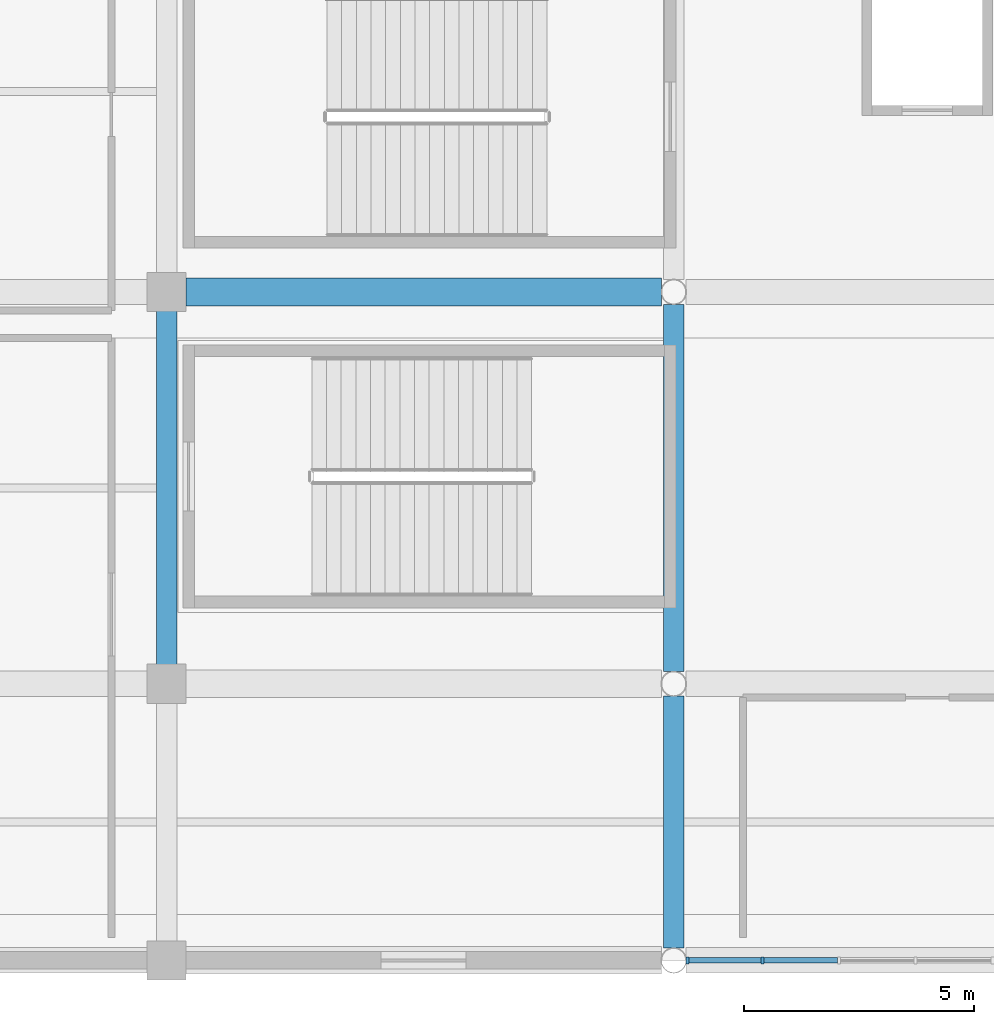
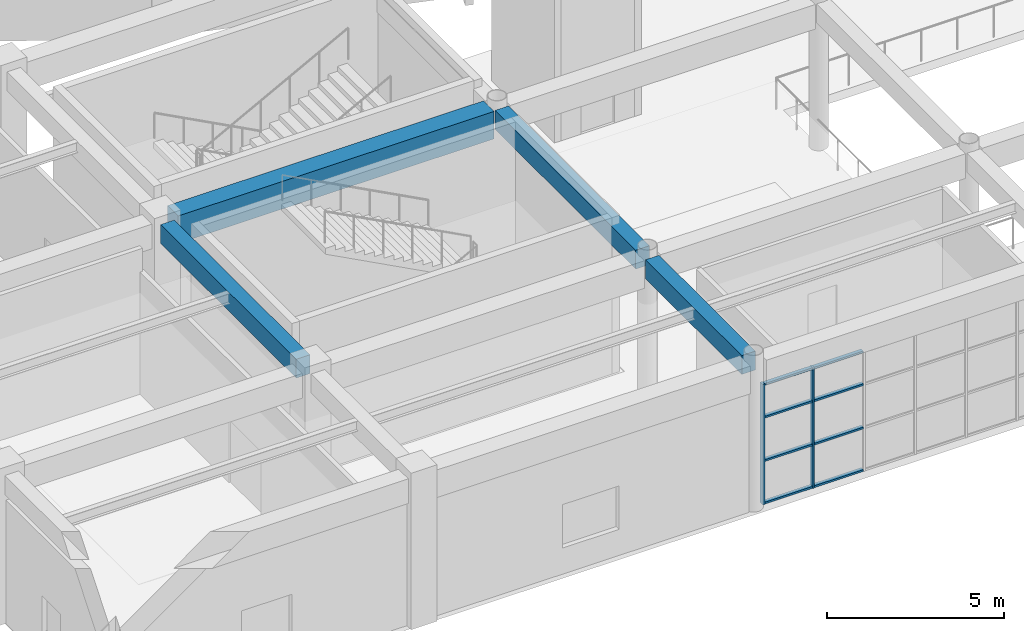
# One storey, part 15 of 120: 10 members, 4 beams, 1 element without a shape of its own.
"""IFC4 building model written with IfcOpenShell, lengths in metres."""

import ifcopenshell
import ifcopenshell.guid

model = None  # the IFC model being written
_history = None  # IfcOwnerHistory: only IFC2X3 demands one
_inside = {}  # id of a spatial element -> (the spatial element, [elements in it])
_under = {}  # id of a project, library or spatial element -> (it, [spatial elements below it])
_declared = {}  # id of a project -> (the project, [libraries it declares])
_typed = {}  # id of a type object -> (the type object, [elements of that type])
_made_of = {}  # id of a material, layer set ... -> (it, [elements and type objects made of it])


def new_model(schema):
    """Start an empty IFC model of exactly this schema.

    Asked for "IFC4X3", IfcOpenShell would pick the latest addendum, in which some entities
    have other attributes; the version numbers below select the first issue.
    IFC2X3 requires an IfcOwnerHistory on every rooted entity: one is made here for all.
    """
    global model, _history
    if schema == "IFC4X3":
        model = ifcopenshell.file(schema_version=(4, 3, 0, 0))
    else:
        model = ifcopenshell.file(schema=schema)
    _inside.clear()
    _under.clear()
    _declared.clear()
    _typed.clear()
    _made_of.clear()
    _history = None
    if model.schema == "IFC2X3":
        org = make("IfcOrganization", Name="unknown")
        user = make(
            "IfcPersonAndOrganization",
            ThePerson=make("IfcPerson", FamilyName="unknown"),
            TheOrganization=org,
        )
        app = make(
            "IfcApplication",
            ApplicationDeveloper=org,
            Version="unknown",
            ApplicationFullName="unknown",
            ApplicationIdentifier="unknown",
        )
        _history = make(
            "IfcOwnerHistory",
            OwningUser=user,
            OwningApplication=app,
            ChangeAction="ADDED",
            CreationDate=0,
        )
    return model


def make(cls, **values):
    """One entity of the class cls with the attributes given. An attribute that is None is left unset."""
    return model.create_entity(
        cls, **{name: value for name, value in values.items() if value is not None}
    )


def rooted(cls, **values):
    """An entity with a GlobalId (a new one), such as an element, a storey or a relation."""
    return make(cls, GlobalId=ifcopenshell.guid.new(), OwnerHistory=_history, **values)


def si_unit(unit_type, name, prefix=None):
    """IfcSIUnit, for example si_unit("LENGTHUNIT", "METRE", prefix="MILLI")."""
    return make("IfcSIUnit", UnitType=unit_type, Prefix=prefix, Name=name)


def assignment(units):
    """IfcUnitAssignment: the units of a project."""
    return None if units is None else make("IfcUnitAssignment", Units=units)


def point(xyz):
    """IfcCartesianPoint."""
    return None if xyz is None else make("IfcCartesianPoint", Coordinates=xyz)


def direction(xyz):
    """IfcDirection."""
    return None if xyz is None else make("IfcDirection", DirectionRatios=xyz)


def frame(location, z_axis=None, x_axis=None):
    """IfcAxis2Placement3D, a coordinate frame: its origin and axes. An axis left out is left unset."""
    return make(
        "IfcAxis2Placement3D",
        Location=point(location),
        Axis=direction(z_axis),
        RefDirection=direction(x_axis),
    )


def frame_2d(location, x_axis=None):
    """IfcAxis2Placement2D, a coordinate frame in the plane: its origin and x axis."""
    return make(
        "IfcAxis2Placement2D", Location=point(location), RefDirection=direction(x_axis)
    )


def origin():
    """The frame at (0, 0, 0) with its axes left unset."""
    return frame((0.0, 0.0, 0.0))


def origin_2d():
    """The frame at (0, 0) in the plane with its x axis left unset."""
    return frame_2d((0.0, 0.0))


def place(relative_to, where):
    """IfcLocalPlacement: puts the frame where relative to a parent placement (None: the world)."""
    return make(
        "IfcLocalPlacement", PlacementRelTo=relative_to, RelativePlacement=where
    )


def context(
    kind, dimensions, precision=None, world=None, true_north=None, identifier=None
):
    """IfcGeometricRepresentationContext, for example the 3D "Model" context."""
    return make(
        "IfcGeometricRepresentationContext",
        ContextIdentifier=identifier,
        ContextType=kind,
        CoordinateSpaceDimension=dimensions,
        Precision=precision,
        WorldCoordinateSystem=world,
        TrueNorth=true_north,
    )


def subcontext(parent, identifier, kind, view, scale=None):
    """IfcGeometricRepresentationSubContext, for example "Body" below "Model"."""
    return make(
        "IfcGeometricRepresentationSubContext",
        ContextIdentifier=identifier,
        ContextType=kind,
        ParentContext=parent,
        TargetScale=scale,
        TargetView=view,
    )


def project(units=None, contexts=None):
    """IfcProject with its units and contexts."""
    return rooted(
        "IfcProject",
        Name="project",
        RepresentationContexts=contexts,
        UnitsInContext=assignment(units),
    )


def spatial(cls, under=None, at=None, **own):
    """A site, building, storey or space (cls), placed at a placement, below another one or the project."""
    s = rooted(cls, ObjectPlacement=at, **own)
    if under is not None:
        _under.setdefault(under.id(), (under, []))[1].append(s)
    return s


def profile(cls, at=None, kind="AREA", **sizes):
    """A parametric profile (cls). Its sizes go by their IFC names, for example OverallWidth=200.0."""
    return make(cls, ProfileType=kind, Position=at, **sizes)


def rectangle(**sizes):
    """IfcRectangleProfileDef."""
    return profile("IfcRectangleProfileDef", **sizes)


def extrude(swept, where, along, depth):
    """IfcExtrudedAreaSolid: the profile swept, set in the frame where, extruded along a direction by depth."""
    return make(
        "IfcExtrudedAreaSolid",
        SweptArea=swept,
        Position=where,
        ExtrudedDirection=direction(along),
        Depth=depth,
    )


def shape(context_of_items, identifier, shape_type, items):
    """IfcShapeRepresentation: the items that make up one representation, for example the "Body"."""
    return make(
        "IfcShapeRepresentation",
        ContextOfItems=context_of_items,
        RepresentationIdentifier=identifier,
        RepresentationType=shape_type,
        Items=items,
    )


def material(Name=None, Category=None):
    """IfcMaterial."""
    return make("IfcMaterial", Name=Name, Category=Category)


def material_profile(
    of_material, cross_section, Name=None, Category=None, Priority=None
):
    """IfcMaterialProfile: a cross section and its material."""
    return make(
        "IfcMaterialProfile",
        Name=Name,
        Material=of_material,
        Profile=cross_section,
        Priority=Priority,
        Category=Category,
    )


def profile_set(profiles, Name=None, composite=None):
    """IfcMaterialProfileSet."""
    return make(
        "IfcMaterialProfileSet",
        Name=Name,
        MaterialProfiles=profiles,
        CompositeProfile=composite,
    )


def made_of(thing, what):
    """Note that an element or type object is made of a material, layer set ...; save() writes the relation."""
    if what is not None:
        _made_of.setdefault(what.id(), (what, []))[1].append(thing)
    return thing


def type_object(cls, material=None, **own):
    """A type object (cls), such as IfcWallType, which elements share."""
    return made_of(rooted(cls, **own), material)


def element(
    cls,
    number,
    at=None,
    inside=None,
    cuts=None,
    type_object=None,
    material=None,
    context=None,
    identifier="Body",
    shape_type=None,
    held_by="IfcProductDefinitionShape",
    body=None,
    shapes=None,
    **own,
):
    """One element of the class cls, such as IfcWall. Its Tag is "e" and its number.

    at: its placement. inside: the storey or other place that contains it. cuts: it is an
    opening in that element (IfcRelVoidsElement). A single representation is given by context,
    identifier, shape_type and body (its items); several are given by shapes. held_by: the class
    of the entity that holds the representations. save() writes the other relations.
    """
    e = rooted(cls, Tag="e%d" % number, ObjectPlacement=at, **own)
    if body is not None:
        shapes = [shape(context, identifier, shape_type, body)]
    if shapes is not None:
        e.Representation = make(held_by, Representations=shapes)
    if inside is not None:
        _inside.setdefault(inside.id(), (inside, []))[1].append(e)
    if cuts is not None:
        rooted(
            "IfcRelVoidsElement", RelatingBuildingElement=cuts, RelatedOpeningElement=e
        )
    if type_object is not None:
        _typed.setdefault(type_object.id(), (type_object, []))[1].append(e)
    return made_of(e, material)


def aggregate(whole, parts):
    """IfcRelAggregates: a whole, such as a stair, and the parts it consists of."""
    return rooted("IfcRelAggregates", RelatingObject=whole, RelatedObjects=parts)


def save(model, path):
    """Write the relations noted so far, then the file.

    IfcRelAggregates (storeys below a building ...), IfcRelContainedInSpatialStructure (elements
    in a storey), IfcRelDefinesByType, IfcRelAssociatesMaterial and IfcRelDeclares: one each for
    every whole, place, type object, material and project.
    """
    for whole, parts in _under.values():
        aggregate(whole, parts)
    for where, things in _inside.values():
        rooted(
            "IfcRelContainedInSpatialStructure",
            RelatedElements=things,
            RelatingStructure=where,
        )
    for kind, things in _typed.values():
        rooted("IfcRelDefinesByType", RelatedObjects=things, RelatingType=kind)
    for what, things in _made_of.values():
        rooted("IfcRelAssociatesMaterial", RelatedObjects=things, RelatingMaterial=what)
    for by, libraries in _declared.values():
        rooted("IfcRelDeclares", RelatingContext=by, RelatedDefinitions=libraries)
    model.write(path)


model = new_model("IFC4")

# Units and contexts
model_context = context("Model", 3, precision=1e-05, world=origin(), true_north=direction((0.0, 1.0)))
body_context = subcontext(model_context, "Body", "Model", "MODEL_VIEW")
ifc_project = project(units=[si_unit("LENGTHUNIT", "METRE"), si_unit("AREAUNIT", "SQUARE_METRE"), si_unit("VOLUMEUNIT", "CUBIC_METRE"), si_unit("PLANEANGLEUNIT", "RADIAN"), si_unit("MASSUNIT", "GRAM", prefix="KILO")], contexts=[model_context])

# Site, building, storey
site_placement = place(None, origin())
site = spatial("IfcSite", under=ifc_project, at=site_placement, CompositionType="ELEMENT")
building_placement = place(site_placement, origin())
building = spatial("IfcBuilding", under=site, at=building_placement, Name="Cuetzalor Civic Arena", CompositionType="ELEMENT")
storey_placement = place(building_placement, frame((0.0, 0.0, 6.0)))
storey = spatial("IfcBuildingStorey", under=building, at=storey_placement, Name="L01", CompositionType="ELEMENT", Elevation=6.0)

# Beams
ifc_material_1 = material(Name="Concrete C40/50", Category="concrete")
ifc_material_profile_1 = material_profile(ifc_material_1, rectangle(XDim=0.60009765625, YDim=0.949951171875, at=origin_2d()), Name="RC 600x950")
ifc_profile_set_1 = profile_set([ifc_material_profile_1], Name="Concrete C40/50")
beam_type_1 = type_object("IfcBeamType", Name="ConcreteFrameBeam_600x950", PredefinedType="BEAM", material=ifc_profile_set_1)
beam_1_placement = place(storey_placement, frame((-31.5849609375, -57.0, 4.64501953125), z_axis=(1.0, 0.0, 0.0), x_axis=(0.0, 1.0, 0.0)))
element("IfcBeam", 1, at=beam_1_placement, inside=storey, type_object=beam_type_1, Name="Frame Girder V3-L01-X0306", PredefinedType="BEAM", context=body_context, shape_type="SweptSolid", body=[
    extrude(rectangle(XDim=0.60009765625, YDim=0.949951171875, at=origin_2d()), origin(), (0.0, 0.0, 1.0), 10.3154296875),
])
ifc_material_2 = material(Name="Concrete C40/50", Category="concrete")
ifc_material_profile_2 = material_profile(ifc_material_2, rectangle(XDim=0.449951171875, YDim=0.64990234375, at=origin_2d()), Name="RC 450x650")
ifc_profile_set_2 = profile_set([ifc_material_profile_2], Name="Concrete C40/50")
beam_type_2 = type_object("IfcBeamType", Name="ConcreteTieBeam_450x650", PredefinedType="BEAM", material=ifc_profile_set_2)
beam_2_placement = place(storey_placement, frame((-32.0, -65.0849609375, 4.794921875), z_axis=(0.0, 1.0, 0.0), x_axis=(-1.0, 0.0, 0.0)))
element("IfcBeam", 2, at=beam_2_placement, inside=storey, type_object=beam_type_2, Name="Frame Girder V3-L01-Y0323", PredefinedType="BEAM", context=body_context, shape_type="SweptSolid", body=[
    extrude(rectangle(XDim=0.449951171875, YDim=0.64990234375, at=origin_2d()), origin(), (0.0, 0.0, 1.0), 7.669921875),
])
beam_3_placement = place(storey_placement, frame((-21.0, -71.23046875, 4.794921875), z_axis=(0.0, 1.0, 0.0), x_axis=(-1.0, 0.0, 0.0)))
element("IfcBeam", 3, at=beam_3_placement, inside=storey, type_object=beam_type_2, Name="Frame Girder V3-L01-Y0325", PredefinedType="BEAM", context=body_context, shape_type="SweptSolid", body=[
    extrude(rectangle(XDim=0.449951171875, YDim=0.64990234375, at=origin_2d()), origin(), (0.0, 0.0, 1.0), 5.4609375),
])
beam_4_placement = place(storey_placement, frame((-21.0, -65.23046875, 4.794921875), z_axis=(0.0, 1.0, 0.0), x_axis=(-1.0, 0.0, 0.0)))
element("IfcBeam", 4, at=beam_4_placement, inside=storey, type_object=beam_type_2, Name="Frame Girder V3-L01-Y0326", PredefinedType="BEAM", context=body_context, shape_type="SweptSolid", body=[
    extrude(rectangle(XDim=0.449951171875, YDim=0.64990234375, at=origin_2d()), origin(), (0.0, 0.0, 1.0), 7.9609375),
])

# Curtain wall, members
ifc_material_3 = material(Name="Anodised dark bronze aluminium and low-E solar glass", Category="aluminium")
curtain_wall_type = type_object("IfcCurtainWallType", Name="StickCW_10000x4150", PredefinedType="USERDEFINED", material=ifc_material_3)
curtain_wall_placement = place(storey_placement, origin())
curtain_wall = element("IfcCurtainWall", 5, at=curtain_wall_placement, inside=storey, type_object=curtain_wall_type, Name="South Civic Square Curtain Wall L01-083", ObjectType="STICK CURTAIN WALL", PredefinedType="USERDEFINED")
ifc_material_4 = material(Name="Anodised dark bronze aluminium", Category="aluminium")
ifc_material_profile_3 = material_profile(ifc_material_4, rectangle(XDim=0.06494140625, YDim=0.14990234375, at=origin_2d()), Name="ALU MULLION 65x150")
ifc_profile_set_3 = profile_set([ifc_material_profile_3], Name="Anodised dark bronze aluminium")
member_type_1 = type_object("IfcMemberType", Name="CurtainWallMullion_60x150", PredefinedType="MULLION", material=ifc_profile_set_3)
member_1_placement = place(storey_placement, frame((-19.07568359375, -71.5, 0.0), z_axis=(0.0, 0.0, 1.0), x_axis=(-1.0, 0.0, 0.0)))
member_1 = element("IfcMember", 6, at=member_1_placement, type_object=member_type_1, Name="CW-25 mullion 6", PredefinedType="MULLION", context=body_context, shape_type="SweptSolid", body=[
    extrude(rectangle(XDim=0.06494140625, YDim=0.14990234375, at=origin_2d()), origin(), (0.0, 0.0, 1.0), 4.159912109375),
])
member_2_placement = place(storey_placement, frame((-20.7060546875, -71.5, 0.0), z_axis=(0.0, 0.0, 1.0), x_axis=(-1.0, 0.0, 0.0)))
member_2 = element("IfcMember", 7, at=member_2_placement, type_object=member_type_1, Name="CW-25 mullion 7", PredefinedType="MULLION", context=body_context, shape_type="SweptSolid", body=[
    extrude(rectangle(XDim=0.06494140625, YDim=0.14990234375, at=origin_2d()), origin(), (0.0, 0.0, 1.0), 4.159912109375),
])
ifc_material_5 = material(Name="Anodised dark bronze aluminium", Category="aluminium")
ifc_material_profile_4 = material_profile(ifc_material_5, rectangle(XDim=0.1201171875, YDim=0.06494140625, at=origin_2d()), Name="ALU TRANSOM 65x120")
ifc_profile_set_4 = profile_set([ifc_material_profile_4], Name="Anodised dark bronze aluminium")
member_type_2 = type_object("IfcMemberType", Name="CurtainWallTransom_60x120", PredefinedType="USERDEFINED", material=ifc_profile_set_4)
member_3_placement = place(storey_placement, frame((-17.4453125, -71.5, 0.032470703125), z_axis=(-1.0, 0.0, 0.0), x_axis=(0.0, -1.0, 0.0)))
member_3 = element("IfcMember", 8, at=member_3_placement, type_object=member_type_2, Name="CW-25 transom 5.1", ObjectType="TRANSOM", PredefinedType="USERDEFINED", context=body_context, shape_type="SweptSolid", body=[
    extrude(rectangle(XDim=0.1201171875, YDim=0.06494140625, at=origin_2d()), origin(), (0.0, 0.0, 1.0), 1.597900390625),
])
member_4_placement = place(storey_placement, frame((-17.4453125, -71.5, 1.498046875), z_axis=(-1.0, 0.0, 0.0), x_axis=(0.0, -1.0, 0.0)))
member_4 = element("IfcMember", 9, at=member_4_placement, type_object=member_type_2, Name="CW-25 transom 5.2", ObjectType="TRANSOM", PredefinedType="USERDEFINED", context=body_context, shape_type="SweptSolid", body=[
    extrude(rectangle(XDim=0.1201171875, YDim=0.06494140625, at=origin_2d()), origin(), (0.0, 0.0, 1.0), 1.597900390625),
])
member_5_placement = place(storey_placement, frame((-17.4453125, -71.5, 2.9951171875), z_axis=(-1.0, 0.0, 0.0), x_axis=(0.0, -1.0, 0.0)))
member_5 = element("IfcMember", 10, at=member_5_placement, type_object=member_type_2, Name="CW-25 transom 5.3", ObjectType="TRANSOM", PredefinedType="USERDEFINED", context=body_context, shape_type="SweptSolid", body=[
    extrude(rectangle(XDim=0.1201171875, YDim=0.06494140625, at=origin_2d()), origin(), (0.0, 0.0, 1.0), 1.597900390625),
])
member_6_placement = place(storey_placement, frame((-17.4453125, -71.5, 4.12744140625), z_axis=(-1.0, 0.0, 0.0), x_axis=(0.0, -1.0, 0.0)))
member_6 = element("IfcMember", 11, at=member_6_placement, type_object=member_type_2, Name="CW-25 transom 5.4", ObjectType="TRANSOM", PredefinedType="USERDEFINED", context=body_context, shape_type="SweptSolid", body=[
    extrude(rectangle(XDim=0.1201171875, YDim=0.06494140625, at=origin_2d()), origin(), (0.0, 0.0, 1.0), 1.597900390625),
])
member_7_placement = place(storey_placement, frame((-19.108154296875, -71.5, 0.032470703125), z_axis=(-1.0, 0.0, 0.0), x_axis=(0.0, -1.0, 0.0)))
member_7 = element("IfcMember", 12, at=member_7_placement, type_object=member_type_2, Name="CW-25 transom 6.1", ObjectType="TRANSOM", PredefinedType="USERDEFINED", context=body_context, shape_type="SweptSolid", body=[
    extrude(rectangle(XDim=0.1201171875, YDim=0.06494140625, at=origin_2d()), origin(), (0.0, 0.0, 1.0), 1.5654296875),
])
member_8_placement = place(storey_placement, frame((-19.108154296875, -71.5, 1.498046875), z_axis=(-1.0, 0.0, 0.0), x_axis=(0.0, -1.0, 0.0)))
member_8 = element("IfcMember", 13, at=member_8_placement, type_object=member_type_2, Name="CW-25 transom 6.2", ObjectType="TRANSOM", PredefinedType="USERDEFINED", context=body_context, shape_type="SweptSolid", body=[
    extrude(rectangle(XDim=0.1201171875, YDim=0.06494140625, at=origin_2d()), origin(), (0.0, 0.0, 1.0), 1.5654296875),
])
member_9_placement = place(storey_placement, frame((-19.108154296875, -71.5, 2.9951171875), z_axis=(-1.0, 0.0, 0.0), x_axis=(0.0, -1.0, 0.0)))
member_9 = element("IfcMember", 14, at=member_9_placement, type_object=member_type_2, Name="CW-25 transom 6.3", ObjectType="TRANSOM", PredefinedType="USERDEFINED", context=body_context, shape_type="SweptSolid", body=[
    extrude(rectangle(XDim=0.1201171875, YDim=0.06494140625, at=origin_2d()), origin(), (0.0, 0.0, 1.0), 1.5654296875),
])
member_10_placement = place(storey_placement, frame((-19.108154296875, -71.5, 4.12744140625), z_axis=(-1.0, 0.0, 0.0), x_axis=(0.0, -1.0, 0.0)))
member_10 = element("IfcMember", 15, at=member_10_placement, type_object=member_type_2, Name="CW-25 transom 6.4", ObjectType="TRANSOM", PredefinedType="USERDEFINED", context=body_context, shape_type="SweptSolid", body=[
    extrude(rectangle(XDim=0.1201171875, YDim=0.06494140625, at=origin_2d()), origin(), (0.0, 0.0, 1.0), 1.5654296875),
])
aggregate(curtain_wall, [member_1, member_2, member_3, member_4, member_5, member_6, member_7, member_8, member_9, member_10])

save(model, "model.ifc")
